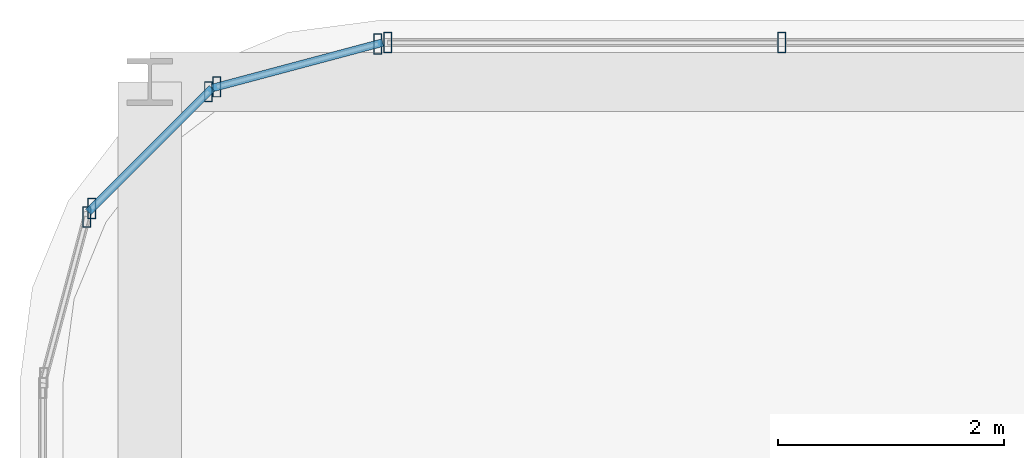
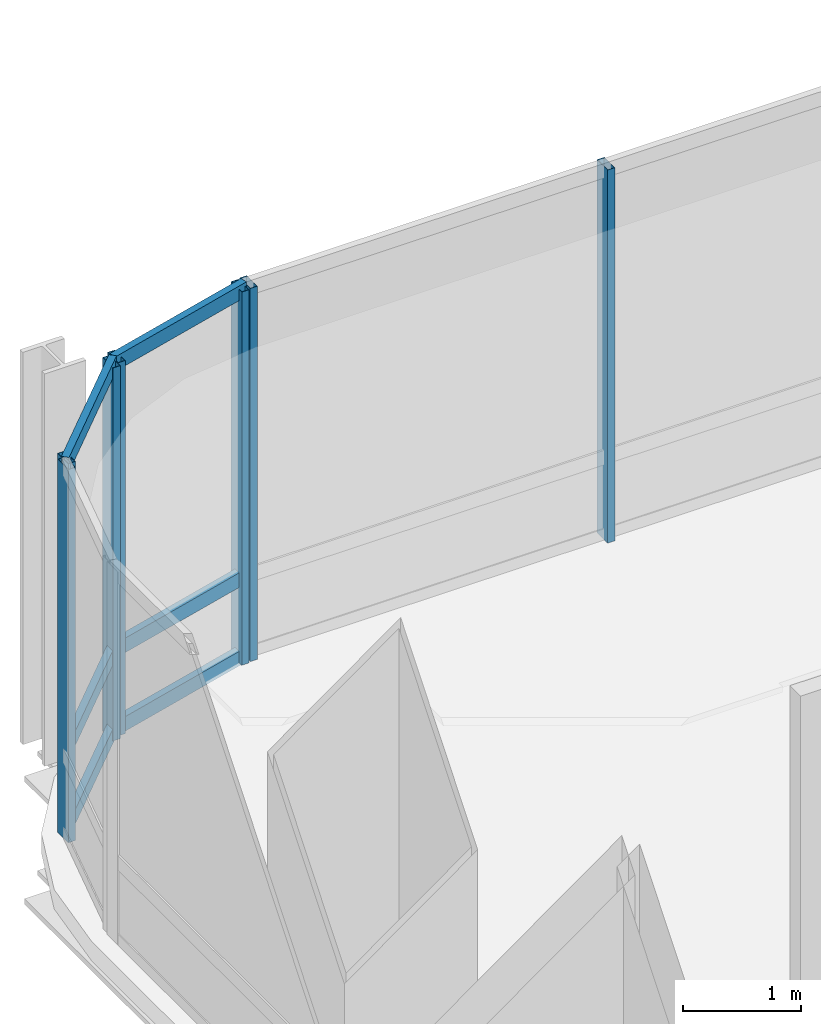
# One storey, part 24 of 42: 13 members, 4 elements without a shape of their own.
"""IFC4 building model written with IfcOpenShell, lengths in metres."""

from ifc_helpers import new_model, si_unit, direction, frame, origin, origin_2d, place, context, subcontext, project, spatial, hollow_rectangle, extrude, material, material_profile, profile_set, type_object, element, aggregate, save


model = new_model("IFC4")

# Units and contexts
model_context = context("Model", 3, precision=1e-05, world=origin(), true_north=direction((0.0, 1.0)))
body_context = subcontext(model_context, "Body", "Model", "MODEL_VIEW")
ifc_project = project(units=[si_unit("LENGTHUNIT", "METRE"), si_unit("AREAUNIT", "SQUARE_METRE"), si_unit("VOLUMEUNIT", "CUBIC_METRE"), si_unit("PLANEANGLEUNIT", "RADIAN"), si_unit("MASSUNIT", "GRAM", prefix="KILO")], contexts=[model_context])

# Site, building, storey
site_placement = place(None, origin())
site = spatial("IfcSite", under=ifc_project, at=site_placement, CompositionType="ELEMENT")
building_placement = place(site_placement, origin())
building = spatial("IfcBuilding", under=site, at=building_placement, Name="Punatoya Terracotta Tower", CompositionType="ELEMENT")
storey_placement = place(building_placement, frame((0.0, 0.0, 259.5)))
storey = spatial("IfcBuildingStorey", under=building, at=storey_placement, Name="L61", CompositionType="ELEMENT", Elevation=259.5)

# Curtain wall, members
ifc_material_1 = material(Name="Aluminium 6063-T6 + Double Low-E Glass", Category="aluminium")
curtain_wall_type = type_object("IfcCurtainWallType", Name="CW-M3", PredefinedType="NOTDEFINED", material=ifc_material_1)
curtain_wall_1_placement = place(storey_placement, origin())
curtain_wall_1 = element("IfcCurtainWall", 1, at=curtain_wall_1_placement, inside=storey, type_object=curtain_wall_type, Name="L61 Curtain Wall CW-L61-N09-1", PredefinedType="NOTDEFINED")
ifc_material_2 = material(Name="Aluminium 6063-T6", Category="aluminium")
ifc_material_profile_1 = material_profile(ifc_material_2, hollow_rectangle(XDim=0.070068359375, YDim=0.179931640625, WallThickness=0.00390625, at=origin_2d()))
ifc_profile_set_1 = profile_set([ifc_material_profile_1], Name="Aluminium 6063-T6")
member_type_1 = type_object("IfcMemberType", Name="CW-MUL-M3", PredefinedType="MULLION", material=ifc_profile_set_1)
member_1_placement = place(storey_placement, frame((-13.5029296875, 23.25, 0.0), z_axis=(0.0, 0.0, 1.0), x_axis=(1.0, 0.0, 0.0)))
member_1 = element("IfcMember", 2, at=member_1_placement, type_object=member_type_1, Name="CW-L61-N09-1 Mullion 10", PredefinedType="MULLION", context=body_context, shape_type="SweptSolid", body=[
    extrude(hollow_rectangle(XDim=0.070068359375, YDim=0.179931640625, WallThickness=0.00390625, at=origin_2d()), origin(), (0.0, 0.0, 1.0), 3.85009765625),
])
member_2_placement = place(storey_placement, frame((-16.991943359375, 23.25, 0.0), z_axis=(0.0, 0.0, 1.0), x_axis=(1.0, 0.0, 0.0)))
member_2 = element("IfcMember", 3, at=member_2_placement, type_object=member_type_1, Name="CW-L61-N09-1 Mullion 11", PredefinedType="MULLION", context=body_context, shape_type="SweptSolid", body=[
    extrude(hollow_rectangle(XDim=0.070068359375, YDim=0.179931640625, WallThickness=0.00390625, at=origin_2d()), origin(), (0.0, 0.0, 1.0), 3.85009765625),
])
aggregate(curtain_wall_1, [member_1, member_2])

curtain_wall_2_placement = place(storey_placement, origin())
curtain_wall_2 = element("IfcCurtainWall", 4, at=curtain_wall_2_placement, inside=storey, type_object=curtain_wall_type, Name="L61 Curtain Wall CW-L61-CRN10", PredefinedType="NOTDEFINED")
member_3_placement = place(storey_placement, frame((-17.080322265625, 23.23828125, 0.0), z_axis=(0.0, 0.0, 1.0), x_axis=(1.0, 0.0, 0.0)))
member_3 = element("IfcMember", 5, at=member_3_placement, type_object=member_type_1, Name="CW-L61-CRN10 Mullion 00", PredefinedType="MULLION", context=body_context, shape_type="SweptSolid", body=[
    extrude(hollow_rectangle(XDim=0.070068359375, YDim=0.179931640625, WallThickness=0.00390625, at=origin_2d()), origin(), (0.0, 0.0, 1.0), 3.85009765625),
])
member_4_placement = place(storey_placement, frame((-18.505615234375, 22.858154296875, 0.0), z_axis=(0.0, 0.0, 1.0), x_axis=(1.0, 0.0, 0.0)))
member_4 = element("IfcMember", 6, at=member_4_placement, type_object=member_type_1, Name="CW-L61-CRN10 Mullion 01", PredefinedType="MULLION", context=body_context, shape_type="SweptSolid", body=[
    extrude(hollow_rectangle(XDim=0.070068359375, YDim=0.179931640625, WallThickness=0.00390625, at=origin_2d()), origin(), (0.0, 0.0, 1.0), 3.85009765625),
])

curtain_wall_3_placement = place(storey_placement, origin())
curtain_wall_3 = element("IfcCurtainWall", 7, at=curtain_wall_3_placement, inside=storey, type_object=curtain_wall_type, Name="L61 Curtain Wall CW-L61-CRN11", PredefinedType="NOTDEFINED")
member_5_placement = place(storey_placement, frame((-18.580810546875, 22.814697265625, 0.0), z_axis=(0.0, 0.0, 1.0), x_axis=(1.0, 0.0, 0.0)))
member_5 = element("IfcMember", 8, at=member_5_placement, type_object=member_type_1, Name="CW-L61-CRN11 Mullion 00", PredefinedType="MULLION", context=body_context, shape_type="SweptSolid", body=[
    extrude(hollow_rectangle(XDim=0.070068359375, YDim=0.179931640625, WallThickness=0.00390625, at=origin_2d()), origin(), (0.0, 0.0, 1.0), 3.85009765625),
])
member_6_placement = place(storey_placement, frame((-19.61474609375, 21.781005859375, 0.0), z_axis=(0.0, 0.0, 1.0), x_axis=(1.0, 0.0, 0.0)))
member_6 = element("IfcMember", 9, at=member_6_placement, type_object=member_type_1, Name="CW-L61-CRN11 Mullion 01", PredefinedType="MULLION", context=body_context, shape_type="SweptSolid", body=[
    extrude(hollow_rectangle(XDim=0.070068359375, YDim=0.179931640625, WallThickness=0.00390625, at=origin_2d()), origin(), (0.0, 0.0, 1.0), 3.85009765625),
])

# Curtain wall, member
curtain_wall_4_placement = place(storey_placement, origin())
curtain_wall_4 = element("IfcCurtainWall", 10, at=curtain_wall_4_placement, inside=storey, type_object=curtain_wall_type, Name="L61 Curtain Wall CW-L61-CRN12", PredefinedType="NOTDEFINED")
member_7_placement = place(storey_placement, frame((-19.658203125, 21.70556640625, 0.0), z_axis=(0.0, 0.0, 1.0), x_axis=(1.0, 0.0, 0.0)))
member_7 = element("IfcMember", 11, at=member_7_placement, type_object=member_type_1, Name="CW-L61-CRN12 Mullion 00", PredefinedType="MULLION", context=body_context, shape_type="SweptSolid", body=[
    extrude(hollow_rectangle(XDim=0.070068359375, YDim=0.179931640625, WallThickness=0.00390625, at=origin_2d()), origin(), (0.0, 0.0, 1.0), 3.85009765625),
])
aggregate(curtain_wall_4, [member_7])

# Member
ifc_material_profile_2 = material_profile(ifc_material_2, hollow_rectangle(XDim=0.068115234375, YDim=0.14990234375, WallThickness=0.00390625, at=origin_2d()))
ifc_profile_set_2 = profile_set([ifc_material_profile_2], Name="Aluminium 6063-T6")
member_type_2 = type_object("IfcMemberType", Name="CW-TRN-TYP", PredefinedType="USERDEFINED", material=ifc_profile_set_2)
member_8_placement = place(storey_placement, frame((-17.036865234375, 23.25, 0.0400390625), z_axis=(-0.966224582397, -0.257701486942, 0.0), x_axis=(0.257701486942, -0.966224582397, 0.0)))
member_8 = element("IfcMember", 12, at=member_8_placement, type_object=member_type_2, Name="CW-L61-CRN10 Transom 1", ObjectType="TRANSOM", PredefinedType="USERDEFINED", context=body_context, shape_type="SweptSolid", body=[
    extrude(hollow_rectangle(XDim=0.068115234375, YDim=0.14990234375, WallThickness=0.00390625, at=origin_2d()), origin(), (0.0, 0.0, 1.0), 1.565185546875),
])

member_9_placement = place(storey_placement, frame((-17.036865234375, 23.25, 0.85009765625), z_axis=(-0.966224582397, -0.257701486942, 0.0), x_axis=(0.257701486942, -0.966224582397, 0.0)))
member_9 = element("IfcMember", 13, at=member_9_placement, type_object=member_type_2, Name="CW-L61-CRN10 Transom 2", ObjectType="TRANSOM", PredefinedType="USERDEFINED", context=body_context, shape_type="SweptSolid", body=[
    extrude(hollow_rectangle(XDim=0.068115234375, YDim=0.14990234375, WallThickness=0.00390625, at=origin_2d()), origin(), (0.0, 0.0, 1.0), 1.565185546875),
])

member_10_placement = place(storey_placement, frame((-17.036865234375, 23.25, 3.81005859375), z_axis=(-0.966224582397, -0.257701486942, 0.0), x_axis=(0.257701486942, -0.966224582397, 0.0)))
member_10 = element("IfcMember", 14, at=member_10_placement, type_object=member_type_2, Name="CW-L61-CRN10 Transom 3", ObjectType="TRANSOM", PredefinedType="USERDEFINED", context=body_context, shape_type="SweptSolid", body=[
    extrude(hollow_rectangle(XDim=0.068115234375, YDim=0.14990234375, WallThickness=0.00390625, at=origin_2d()), origin(), (0.0, 0.0, 1.0), 1.565185546875),
])

aggregate(curtain_wall_2, [member_3, member_4, member_8, member_9, member_10])

member_11_placement = place(storey_placement, frame((-18.549072265625, 22.8466796875, 0.0400390625), z_axis=(-0.707028130747, -0.707185422879, 0.0), x_axis=(0.707185422879, -0.707028130747, 0.0)))
member_11 = element("IfcMember", 15, at=member_11_placement, type_object=member_type_2, Name="CW-L61-CRN11 Transom 1", ObjectType="TRANSOM", PredefinedType="USERDEFINED", context=body_context, shape_type="SweptSolid", body=[
    extrude(hollow_rectangle(XDim=0.068115234375, YDim=0.14990234375, WallThickness=0.00390625, at=origin_2d()), origin(), (0.0, 0.0, 1.0), 1.55224609375),
])

member_12_placement = place(storey_placement, frame((-18.549072265625, 22.8466796875, 0.85009765625), z_axis=(-0.707028130747, -0.707185422879, 0.0), x_axis=(0.707185422879, -0.707028130747, 0.0)))
member_12 = element("IfcMember", 16, at=member_12_placement, type_object=member_type_2, Name="CW-L61-CRN11 Transom 2", ObjectType="TRANSOM", PredefinedType="USERDEFINED", context=body_context, shape_type="SweptSolid", body=[
    extrude(hollow_rectangle(XDim=0.068115234375, YDim=0.14990234375, WallThickness=0.00390625, at=origin_2d()), origin(), (0.0, 0.0, 1.0), 1.55224609375),
])

member_13_placement = place(storey_placement, frame((-18.549072265625, 22.8466796875, 3.81005859375), z_axis=(-0.707028130747, -0.707185422879, 0.0), x_axis=(0.707185422879, -0.707028130747, 0.0)))
member_13 = element("IfcMember", 17, at=member_13_placement, type_object=member_type_2, Name="CW-L61-CRN11 Transom 3", ObjectType="TRANSOM", PredefinedType="USERDEFINED", context=body_context, shape_type="SweptSolid", body=[
    extrude(hollow_rectangle(XDim=0.068115234375, YDim=0.14990234375, WallThickness=0.00390625, at=origin_2d()), origin(), (0.0, 0.0, 1.0), 1.55224609375),
])

aggregate(curtain_wall_3, [member_5, member_6, member_11, member_12, member_13])

save(model, "model.ifc")
